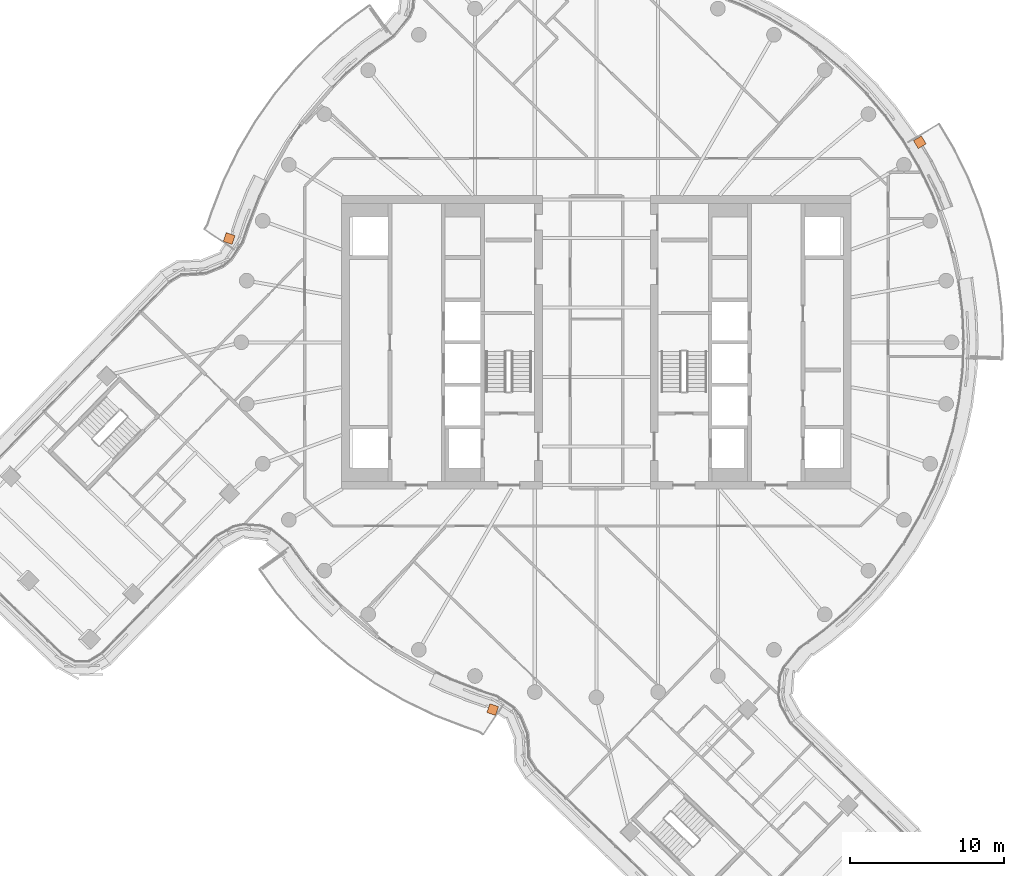
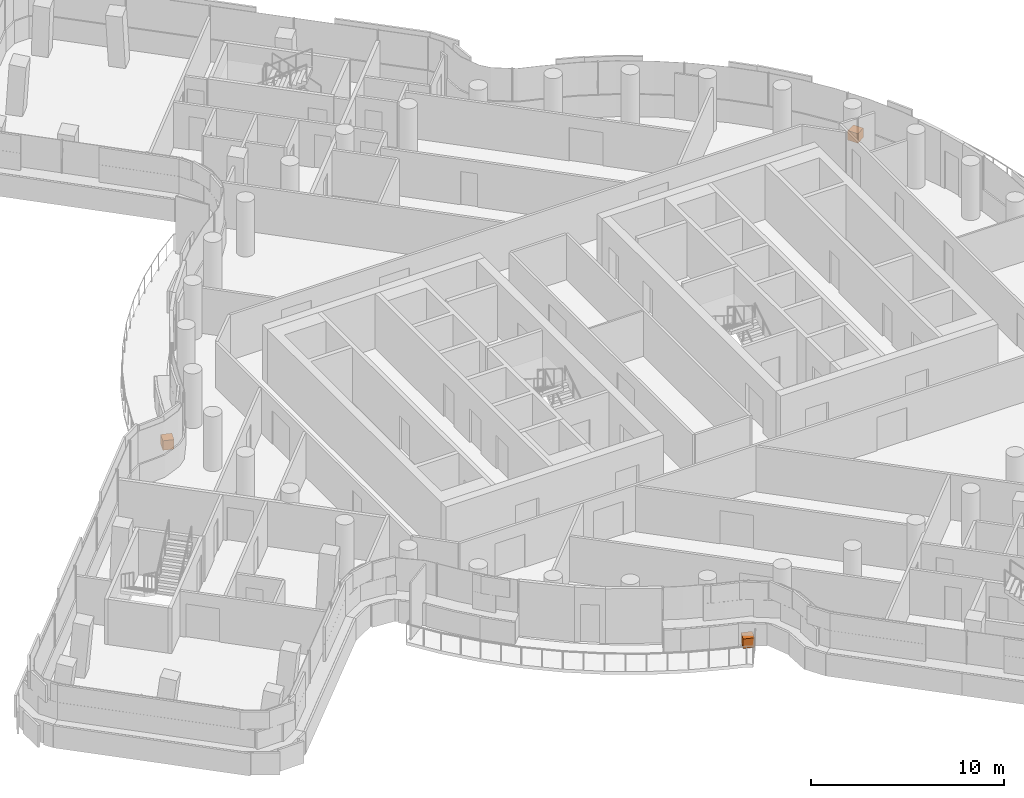
# One storey, part 31 of 31: 3 proxies.
"""IFC4 building model written with IfcOpenShell, lengths in metres."""

from ifc_helpers import new_model, si_unit, direction, frame, origin, origin_2d, place, context, subcontext, project, spatial, rectangle, extrude, material, type_object, element, save


model = new_model("IFC4")

# Units and contexts
model_context = context("Model", 3, precision=1e-05, world=origin(), true_north=direction((0.0, 1.0)))
body_context = subcontext(model_context, "Body", "Model", "MODEL_VIEW")
ifc_project = project(units=[si_unit("LENGTHUNIT", "METRE"), si_unit("AREAUNIT", "SQUARE_METRE"), si_unit("VOLUMEUNIT", "CUBIC_METRE"), si_unit("PLANEANGLEUNIT", "RADIAN"), si_unit("MASSUNIT", "GRAM", prefix="KILO")], contexts=[model_context])

# Site, building, storey
site_placement = place(None, origin())
site = spatial("IfcSite", under=ifc_project, at=site_placement, CompositionType="ELEMENT")
building_placement = place(site_placement, origin())
building = spatial("IfcBuilding", under=site, at=building_placement, Name="Tamarind Cross Interchange Tower", CompositionType="ELEMENT")
storey_placement = place(building_placement, frame((0.0, 0.0, 200.5)))
storey = spatial("IfcBuildingStorey", under=building, at=storey_placement, Name="L50", CompositionType="ELEMENT", Elevation=200.5)

# Proxies
ifc_material = material(Name="Concrete C30", Category="concrete")
building_element_proxy_type = type_object("IfcBuildingElementProxyType", Name="Planter", PredefinedType="USERDEFINED", material=ifc_material)
proxy_1_placement = place(storey_placement, origin())
element("IfcBuildingElementProxy", 1, at=proxy_1_placement, inside=storey, type_object=building_element_proxy_type, Name="PLT-L50-BAL02", ObjectType="Planter", PredefinedType="USERDEFINED", context=body_context, shape_type="SweptSolid", body=[
    extrude(rectangle(XDim=0.60009765625, YDim=0.60009765625, at=origin_2d()), frame((-6.71875, -23.787841796875, 0.0), z_axis=(0.0, 0.0, 1.0), x_axis=(0.947218551696, -0.320588545215, 0.0)), (0.0, 0.0, 1.0), 0.60009765625),
])
proxy_2_placement = place(storey_placement, origin())
element("IfcBuildingElementProxy", 2, at=proxy_2_placement, inside=storey, type_object=building_element_proxy_type, Name="PLT-L50-BAL06", ObjectType="Planter", PredefinedType="USERDEFINED", context=body_context, shape_type="SweptSolid", body=[
    extrude(rectangle(XDim=0.60009765625, YDim=0.60009765625, at=origin_2d()), frame((20.943359375, 12.95703125, 0.0), z_axis=(0.0, 0.0, 1.0), x_axis=(-0.515577308909, 0.856843065292, 0.0)), (0.0, 0.0, 1.0), 0.60009765625),
])
proxy_3_placement = place(storey_placement, origin())
element("IfcBuildingElementProxy", 3, at=proxy_3_placement, inside=storey, type_object=building_element_proxy_type, Name="PLT-L50-BAL10", ObjectType="Planter", PredefinedType="USERDEFINED", context=body_context, shape_type="SweptSolid", body=[
    extrude(rectangle(XDim=0.60009765625, YDim=0.60009765625, at=origin_2d()), frame((-23.787841796875, 6.71875, 0.0), z_axis=(0.0, 0.0, 1.0), x_axis=(-0.320588545215, -0.947218551696, 0.0)), (0.0, 0.0, 1.0), 0.60009765625),
])

save(model, "model.ifc")
